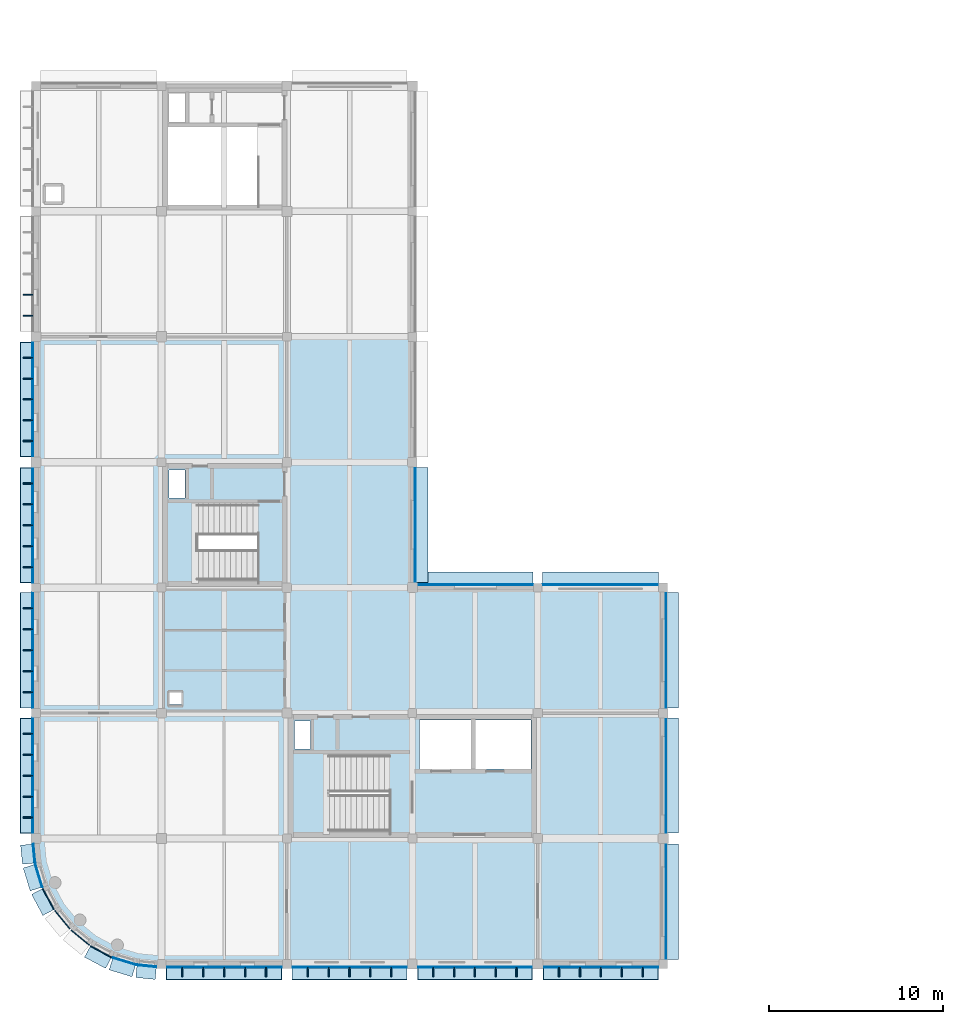
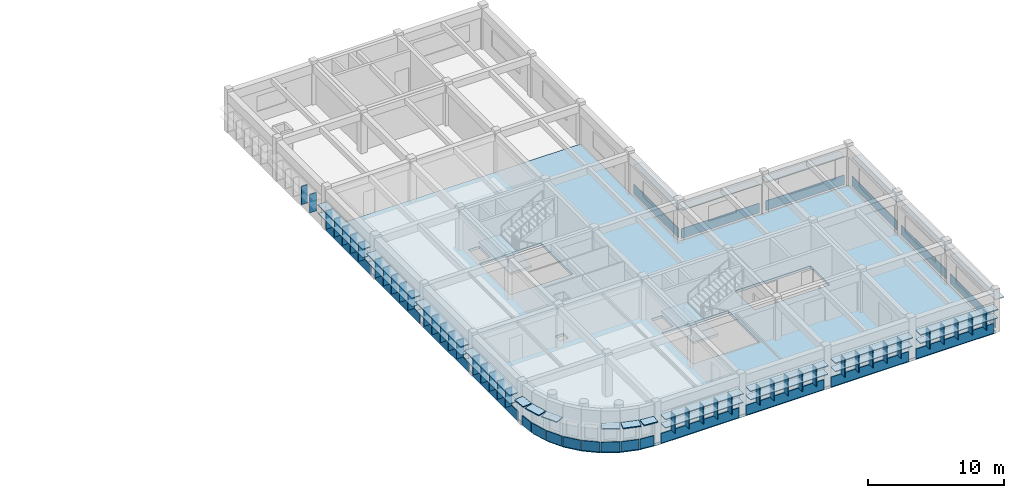
# One storey, part 9 of 19: 92 plates, 3 slabs, 2 elements without a shape of their own.
"""IFC4 building model written with IfcOpenShell, lengths in metres."""

import ifcopenshell
import ifcopenshell.guid

model = None  # the IFC model being written
_history = None  # IfcOwnerHistory: only IFC2X3 demands one
_inside = {}  # id of a spatial element -> (the spatial element, [elements in it])
_under = {}  # id of a project, library or spatial element -> (it, [spatial elements below it])
_declared = {}  # id of a project -> (the project, [libraries it declares])
_typed = {}  # id of a type object -> (the type object, [elements of that type])
_made_of = {}  # id of a material, layer set ... -> (it, [elements and type objects made of it])


def new_model(schema):
    """Start an empty IFC model of exactly this schema.

    Asked for "IFC4X3", IfcOpenShell would pick the latest addendum, in which some entities
    have other attributes; the version numbers below select the first issue.
    IFC2X3 requires an IfcOwnerHistory on every rooted entity: one is made here for all.
    """
    global model, _history
    if schema == "IFC4X3":
        model = ifcopenshell.file(schema_version=(4, 3, 0, 0))
    else:
        model = ifcopenshell.file(schema=schema)
    _inside.clear()
    _under.clear()
    _declared.clear()
    _typed.clear()
    _made_of.clear()
    _history = None
    if model.schema == "IFC2X3":
        org = make("IfcOrganization", Name="unknown")
        user = make(
            "IfcPersonAndOrganization",
            ThePerson=make("IfcPerson", FamilyName="unknown"),
            TheOrganization=org,
        )
        app = make(
            "IfcApplication",
            ApplicationDeveloper=org,
            Version="unknown",
            ApplicationFullName="unknown",
            ApplicationIdentifier="unknown",
        )
        _history = make(
            "IfcOwnerHistory",
            OwningUser=user,
            OwningApplication=app,
            ChangeAction="ADDED",
            CreationDate=0,
        )
    return model


def make(cls, **values):
    """One entity of the class cls with the attributes given. An attribute that is None is left unset."""
    return model.create_entity(
        cls, **{name: value for name, value in values.items() if value is not None}
    )


def rooted(cls, **values):
    """An entity with a GlobalId (a new one), such as an element, a storey or a relation."""
    return make(cls, GlobalId=ifcopenshell.guid.new(), OwnerHistory=_history, **values)


def si_unit(unit_type, name, prefix=None):
    """IfcSIUnit, for example si_unit("LENGTHUNIT", "METRE", prefix="MILLI")."""
    return make("IfcSIUnit", UnitType=unit_type, Prefix=prefix, Name=name)


def assignment(units):
    """IfcUnitAssignment: the units of a project."""
    return None if units is None else make("IfcUnitAssignment", Units=units)


def point(xyz):
    """IfcCartesianPoint."""
    return None if xyz is None else make("IfcCartesianPoint", Coordinates=xyz)


def direction(xyz):
    """IfcDirection."""
    return None if xyz is None else make("IfcDirection", DirectionRatios=xyz)


def frame(location, z_axis=None, x_axis=None):
    """IfcAxis2Placement3D, a coordinate frame: its origin and axes. An axis left out is left unset."""
    return make(
        "IfcAxis2Placement3D",
        Location=point(location),
        Axis=direction(z_axis),
        RefDirection=direction(x_axis),
    )


def frame_2d(location, x_axis=None):
    """IfcAxis2Placement2D, a coordinate frame in the plane: its origin and x axis."""
    return make(
        "IfcAxis2Placement2D", Location=point(location), RefDirection=direction(x_axis)
    )


def origin():
    """The frame at (0, 0, 0) with its axes left unset."""
    return frame((0.0, 0.0, 0.0))


def origin_2d():
    """The frame at (0, 0) in the plane with its x axis left unset."""
    return frame_2d((0.0, 0.0))


def place(relative_to, where):
    """IfcLocalPlacement: puts the frame where relative to a parent placement (None: the world)."""
    return make(
        "IfcLocalPlacement", PlacementRelTo=relative_to, RelativePlacement=where
    )


def context(
    kind, dimensions, precision=None, world=None, true_north=None, identifier=None
):
    """IfcGeometricRepresentationContext, for example the 3D "Model" context."""
    return make(
        "IfcGeometricRepresentationContext",
        ContextIdentifier=identifier,
        ContextType=kind,
        CoordinateSpaceDimension=dimensions,
        Precision=precision,
        WorldCoordinateSystem=world,
        TrueNorth=true_north,
    )


def subcontext(parent, identifier, kind, view, scale=None):
    """IfcGeometricRepresentationSubContext, for example "Body" below "Model"."""
    return make(
        "IfcGeometricRepresentationSubContext",
        ContextIdentifier=identifier,
        ContextType=kind,
        ParentContext=parent,
        TargetScale=scale,
        TargetView=view,
    )


def project(units=None, contexts=None):
    """IfcProject with its units and contexts."""
    return rooted(
        "IfcProject",
        Name="project",
        RepresentationContexts=contexts,
        UnitsInContext=assignment(units),
    )


def spatial(cls, under=None, at=None, **own):
    """A site, building, storey or space (cls), placed at a placement, below another one or the project."""
    s = rooted(cls, ObjectPlacement=at, **own)
    if under is not None:
        _under.setdefault(under.id(), (under, []))[1].append(s)
    return s


def polyline(points):
    """IfcPolyline through the points."""
    return make("IfcPolyline", Points=[point(p) for p in points])


def profile(cls, at=None, kind="AREA", **sizes):
    """A parametric profile (cls). Its sizes go by their IFC names, for example OverallWidth=200.0."""
    return make(cls, ProfileType=kind, Position=at, **sizes)


def rectangle(**sizes):
    """IfcRectangleProfileDef."""
    return profile("IfcRectangleProfileDef", **sizes)


def outline(outer, holes=None, kind="AREA"):
    """IfcArbitraryClosedProfileDef: a profile drawn as a closed curve; with holes, ...WithVoids."""
    if holes is None:
        return make("IfcArbitraryClosedProfileDef", ProfileType=kind, OuterCurve=outer)
    return make(
        "IfcArbitraryProfileDefWithVoids",
        ProfileType=kind,
        OuterCurve=outer,
        InnerCurves=holes,
    )


def extrude(swept, where, along, depth):
    """IfcExtrudedAreaSolid: the profile swept, set in the frame where, extruded along a direction by depth."""
    return make(
        "IfcExtrudedAreaSolid",
        SweptArea=swept,
        Position=where,
        ExtrudedDirection=direction(along),
        Depth=depth,
    )


def shape(context_of_items, identifier, shape_type, items):
    """IfcShapeRepresentation: the items that make up one representation, for example the "Body"."""
    return make(
        "IfcShapeRepresentation",
        ContextOfItems=context_of_items,
        RepresentationIdentifier=identifier,
        RepresentationType=shape_type,
        Items=items,
    )


def material(Name=None, Category=None):
    """IfcMaterial."""
    return make("IfcMaterial", Name=Name, Category=Category)


def layer(
    of_material, thickness, ventilated=None, Name=None, Category=None, Priority=None
):
    """IfcMaterialLayer: one layer of a wall or slab, of a material (None: an air gap)."""
    return make(
        "IfcMaterialLayer",
        Material=of_material,
        LayerThickness=thickness,
        IsVentilated=ventilated,
        Name=Name,
        Category=Category,
        Priority=Priority,
    )


def layer_set(layers, Name=None):
    """IfcMaterialLayerSet."""
    return make("IfcMaterialLayerSet", MaterialLayers=layers, LayerSetName=Name)


def made_of(thing, what):
    """Note that an element or type object is made of a material, layer set ...; save() writes the relation."""
    if what is not None:
        _made_of.setdefault(what.id(), (what, []))[1].append(thing)
    return thing


def type_object(cls, material=None, **own):
    """A type object (cls), such as IfcWallType, which elements share."""
    return made_of(rooted(cls, **own), material)


def element(
    cls,
    number,
    at=None,
    inside=None,
    cuts=None,
    type_object=None,
    material=None,
    context=None,
    identifier="Body",
    shape_type=None,
    held_by="IfcProductDefinitionShape",
    body=None,
    shapes=None,
    **own,
):
    """One element of the class cls, such as IfcWall. Its Tag is "e" and its number.

    at: its placement. inside: the storey or other place that contains it. cuts: it is an
    opening in that element (IfcRelVoidsElement). A single representation is given by context,
    identifier, shape_type and body (its items); several are given by shapes. held_by: the class
    of the entity that holds the representations. save() writes the other relations.
    """
    e = rooted(cls, Tag="e%d" % number, ObjectPlacement=at, **own)
    if body is not None:
        shapes = [shape(context, identifier, shape_type, body)]
    if shapes is not None:
        e.Representation = make(held_by, Representations=shapes)
    if inside is not None:
        _inside.setdefault(inside.id(), (inside, []))[1].append(e)
    if cuts is not None:
        rooted(
            "IfcRelVoidsElement", RelatingBuildingElement=cuts, RelatedOpeningElement=e
        )
    if type_object is not None:
        _typed.setdefault(type_object.id(), (type_object, []))[1].append(e)
    return made_of(e, material)


def aggregate(whole, parts):
    """IfcRelAggregates: a whole, such as a stair, and the parts it consists of."""
    return rooted("IfcRelAggregates", RelatingObject=whole, RelatedObjects=parts)


def save(model, path):
    """Write the relations noted so far, then the file.

    IfcRelAggregates (storeys below a building ...), IfcRelContainedInSpatialStructure (elements
    in a storey), IfcRelDefinesByType, IfcRelAssociatesMaterial and IfcRelDeclares: one each for
    every whole, place, type object, material and project.
    """
    for whole, parts in _under.values():
        aggregate(whole, parts)
    for where, things in _inside.values():
        rooted(
            "IfcRelContainedInSpatialStructure",
            RelatedElements=things,
            RelatingStructure=where,
        )
    for kind, things in _typed.values():
        rooted("IfcRelDefinesByType", RelatedObjects=things, RelatingType=kind)
    for what, things in _made_of.values():
        rooted("IfcRelAssociatesMaterial", RelatedObjects=things, RelatingMaterial=what)
    for by, libraries in _declared.values():
        rooted("IfcRelDeclares", RelatingContext=by, RelatedDefinitions=libraries)
    model.write(path)


model = new_model("IFC4")

# Units and contexts
model_context = context("Model", 3, precision=1e-05, world=origin(), true_north=direction((0.0, 1.0)))
body_context = subcontext(model_context, "Body", "Model", "MODEL_VIEW")
ifc_project = project(units=[si_unit("LENGTHUNIT", "METRE"), si_unit("AREAUNIT", "SQUARE_METRE"), si_unit("VOLUMEUNIT", "CUBIC_METRE"), si_unit("PLANEANGLEUNIT", "RADIAN"), si_unit("MASSUNIT", "GRAM", prefix="KILO")], contexts=[model_context])

# Site, building, storey
site_placement = place(None, origin())
site = spatial("IfcSite", under=ifc_project, at=site_placement, CompositionType="ELEMENT")
building_placement = place(site_placement, origin())
building = spatial("IfcBuilding", under=site, at=building_placement, Name="Thalmaran Polytechnic", CompositionType="ELEMENT")
storey_placement = place(building_placement, frame((0.0, 0.0, 26.699951171875)))
storey = spatial("IfcBuildingStorey", under=building, at=storey_placement, Name="L06", CompositionType="ELEMENT", Elevation=26.699951171875)

# Plates
ifc_material_1 = material(Name="Anodised aluminium spandrel band", Category="aluminium")
ifc_layer_1 = layer(ifc_material_1, 0.054931640625, Name="Anodised aluminium spandrel band")
ifc_layer_set_1 = layer_set([ifc_layer_1], Name="Anodised aluminium spandrel band")
plate_type_1 = type_object("IfcPlateType", Name="PT-BD01", PredefinedType="SHEET", material=ifc_layer_set_1)
for number, where, z_axis, x_axis, name in (
    (1, (1.510498046875, 2.53076171875, 0.02001953125), (0.0, 0.0, 1.0), (-0.634393284164, 0.773010453363, 0.0), "Streamline Horizontal Spandrel Band L06-001"),
    (2, (0.708740234375, 3.73046875, 0.02001953125), (0.0, 0.0, 1.0), (-0.471396736826, 0.881921264348, 0.0), "Streamline Horizontal Spandrel Band L06-002"),
    (3, (0.156494140625, 5.0634765625, 0.02001953125), (0.0, 0.0, 1.0), (-0.290284677254, 0.956940335732, 0.0), "Streamline Horizontal Spandrel Band L06-003"),
):
    element("IfcPlate", number, at=place(storey_placement, frame(where, z_axis=z_axis, x_axis=x_axis)), inside=storey, type_object=plate_type_1, Name=name, PredefinedType="SHEET", context=body_context, shape_type="SweptSolid", body=[
        extrude(rectangle(XDim=1.371337890625, YDim=0.054931640625, at=origin_2d()), origin(), (0.0, 0.0, 1.0), 0.8798828125),
    ])
plate_1_placement = place(storey_placement, frame((-0.111328125, 6.341796875, 0.02001953125), z_axis=(0.0, 0.0, 1.0), x_axis=(-0.09801714033, 0.995184726672, 0.0)))
element("IfcPlate", 4, at=plate_1_placement, inside=storey, type_object=plate_type_1, Name="Streamline Horizontal Spandrel Band L06-004", PredefinedType="SHEET", context=body_context, shape_type="SweptSolid", body=[
    extrude(rectangle(XDim=1.096435546875, YDim=0.054931640625, at=origin_2d()), origin(), (0.0, 0.0, 1.0), 0.8798828125),
])
plate_2_placement = place(storey_placement, frame((-0.195068359375, 10.8076171875, 0.02001953125), z_axis=(0.0, 0.0, 1.0), x_axis=(0.0, 1.0, 0.0)))
element("IfcPlate", 5, at=plate_2_placement, inside=storey, type_object=plate_type_1, Name="Streamline Horizontal Spandrel Band L06-005", PredefinedType="SHEET", context=body_context, shape_type="SweptSolid", body=[
    extrude(rectangle(XDim=6.625, YDim=0.054931640625, at=origin_2d()), origin(), (0.0, 0.0, 1.0), 0.8798828125),
])
plate_3_placement = place(storey_placement, frame((-0.195068359375, 18.0048828125, 0.02001953125), z_axis=(0.0, 0.0, 1.0), x_axis=(0.0, 1.0, 0.0)))
element("IfcPlate", 6, at=plate_3_placement, inside=storey, type_object=plate_type_1, Name="Streamline Horizontal Spandrel Band L06-006", PredefinedType="SHEET", context=body_context, shape_type="SweptSolid", body=[
    extrude(rectangle(XDim=6.64990234375, YDim=0.054931640625, at=origin_2d()), origin(), (0.0, 0.0, 1.0), 0.8798828125),
])
plate_4_placement = place(storey_placement, frame((-0.195068359375, 25.179931640625, 0.02001953125), z_axis=(0.0, 0.0, 1.0), x_axis=(0.0, 1.0, 0.0)))
element("IfcPlate", 7, at=plate_4_placement, inside=storey, type_object=plate_type_1, Name="Streamline Horizontal Spandrel Band L06-007", PredefinedType="SHEET", context=body_context, shape_type="SweptSolid", body=[
    extrude(rectangle(XDim=6.6201171875, YDim=0.054931640625, at=origin_2d()), origin(), (0.0, 0.0, 1.0), 0.8798828125),
])
for number, where, z_axis, x_axis, name in (
    (8, (-0.195068359375, 32.407470703125, 0.02001953125), (0.0, 0.0, 1.0), (0.0, 1.0, 0.0), "Streamline Horizontal Spandrel Band L06-008"),
    (9, (21.760009765625, 25.20751953125, 0.02001953125), (0.0, 0.0, 1.0), (0.0, -1.0, 0.0), "Streamline Horizontal Spandrel Band L06-017"),
):
    element("IfcPlate", number, at=place(storey_placement, frame(where, z_axis=z_axis, x_axis=x_axis)), inside=storey, type_object=plate_type_1, Name=name, PredefinedType="SHEET", context=body_context, shape_type="SweptSolid", body=[
        extrude(rectangle(XDim=6.594970703125, YDim=0.054931640625, at=origin_2d()), origin(), (0.0, 0.0, 1.0), 0.8798828125),
    ])
plate_5_placement = place(storey_placement, frame((25.219970703125, 21.760009765625, 0.02001953125), z_axis=(0.0, 0.0, 1.0), x_axis=(1.0, 0.0, 0.0)))
element("IfcPlate", 10, at=plate_5_placement, inside=storey, type_object=plate_type_1, Name="Streamline Horizontal Spandrel Band L06-018", PredefinedType="SHEET", context=body_context, shape_type="SweptSolid", body=[
    extrude(rectangle(XDim=6.6201171875, YDim=0.054931640625, at=origin_2d()), origin(), (0.0, 0.0, 1.0), 0.8798828125),
])
plate_6_placement = place(storey_placement, frame((32.39501953125, 21.760009765625, 0.02001953125), z_axis=(0.0, 0.0, 1.0), x_axis=(1.0, 0.0, 0.0)))
element("IfcPlate", 11, at=plate_6_placement, inside=storey, type_object=plate_type_1, Name="Streamline Horizontal Spandrel Band L06-019", PredefinedType="SHEET", context=body_context, shape_type="SweptSolid", body=[
    extrude(rectangle(XDim=6.64990234375, YDim=0.054931640625, at=origin_2d()), origin(), (0.0, 0.0, 1.0), 0.8798828125),
])
plate_7_placement = place(storey_placement, frame((36.159912109375, 18.007568359375, 0.02001953125), z_axis=(0.0, 0.0, 1.0), x_axis=(0.0, -1.0, 0.0)))
element("IfcPlate", 12, at=plate_7_placement, inside=storey, type_object=plate_type_1, Name="Streamline Horizontal Spandrel Band L06-020", PredefinedType="SHEET", context=body_context, shape_type="SweptSolid", body=[
    extrude(rectangle(XDim=6.625, YDim=0.054931640625, at=origin_2d()), origin(), (0.0, 0.0, 1.0), 0.8798828125),
])
plate_8_placement = place(storey_placement, frame((36.159912109375, 10.8076171875, 0.02001953125), z_axis=(0.0, 0.0, 1.0), x_axis=(0.0, -1.0, 0.0)))
element("IfcPlate", 13, at=plate_8_placement, inside=storey, type_object=plate_type_1, Name="Streamline Horizontal Spandrel Band L06-021", PredefinedType="SHEET", context=body_context, shape_type="SweptSolid", body=[
    extrude(rectangle(XDim=6.594970703125, YDim=0.054931640625, at=origin_2d()), origin(), (0.0, 0.0, 1.0), 0.8798828125),
])
for number, where, z_axis, x_axis, name in (
    (14, (36.159912109375, 3.580078125, 0.02001953125), (0.0, 0.0, 1.0), (0.0, -1.0, 0.0), "Streamline Horizontal Spandrel Band L06-022"),
    (15, (32.419921875, -0.195068359375, 0.02001953125), (0.0, 0.0, 1.0), (-1.0, 0.0, 0.0), "Streamline Horizontal Spandrel Band L06-023"),
):
    element("IfcPlate", number, at=place(storey_placement, frame(where, z_axis=z_axis, x_axis=x_axis)), inside=storey, type_object=plate_type_1, Name=name, PredefinedType="SHEET", context=body_context, shape_type="SweptSolid", body=[
        extrude(rectangle(XDim=6.6201171875, YDim=0.054931640625, at=origin_2d()), origin(), (0.0, 0.0, 1.0), 0.8798828125),
    ])
plate_9_placement = place(storey_placement, frame((25.1923828125, -0.195068359375, 0.02001953125), z_axis=(0.0, 0.0, 1.0), x_axis=(-1.0, 0.0, 0.0)))
element("IfcPlate", 16, at=plate_9_placement, inside=storey, type_object=plate_type_1, Name="Streamline Horizontal Spandrel Band L06-024", PredefinedType="SHEET", context=body_context, shape_type="SweptSolid", body=[
    extrude(rectangle(XDim=6.594970703125, YDim=0.054931640625, at=origin_2d()), origin(), (0.0, 0.0, 1.0), 0.8798828125),
])
plate_10_placement = place(storey_placement, frame((17.992431640625, -0.195068359375, 0.02001953125), z_axis=(0.0, 0.0, 1.0), x_axis=(-1.0, 0.0, 0.0)))
element("IfcPlate", 17, at=plate_10_placement, inside=storey, type_object=plate_type_1, Name="Streamline Horizontal Spandrel Band L06-025", PredefinedType="SHEET", context=body_context, shape_type="SweptSolid", body=[
    extrude(rectangle(XDim=6.625, YDim=0.054931640625, at=origin_2d()), origin(), (0.0, 0.0, 1.0), 0.8798828125),
])
plate_11_placement = place(storey_placement, frame((10.794921875, -0.195068359375, 0.02001953125), z_axis=(0.0, 0.0, 1.0), x_axis=(-1.0, 0.0, 0.0)))
element("IfcPlate", 18, at=plate_11_placement, inside=storey, type_object=plate_type_1, Name="Streamline Horizontal Spandrel Band L06-026", PredefinedType="SHEET", context=body_context, shape_type="SweptSolid", body=[
    extrude(rectangle(XDim=6.64990234375, YDim=0.054931640625, at=origin_2d()), origin(), (0.0, 0.0, 1.0), 0.8798828125),
])
plate_12_placement = place(storey_placement, frame((6.354248046875, -0.112548828125, 0.02001953125), z_axis=(0.0, 0.0, 1.0), x_axis=(-0.995184726672, 0.09801714033, 0.0)))
element("IfcPlate", 19, at=plate_12_placement, inside=storey, type_object=plate_type_1, Name="Streamline Horizontal Spandrel Band L06-027", PredefinedType="SHEET", context=body_context, shape_type="SweptSolid", body=[
    extrude(rectangle(XDim=1.121337890625, YDim=0.054931640625, at=origin_2d()), origin(), (0.0, 0.0, 1.0), 0.8798828125),
])
for number, where, z_axis, x_axis, name in (
    (20, (5.0634765625, 0.156494140625, 0.02001953125), (0.0, 0.0, 1.0), (-0.956940335732, 0.290284677254, 0.0), "Streamline Horizontal Spandrel Band L06-028"),
    (21, (3.73046875, 0.708740234375, 0.02001953125), (0.0, 0.0, 1.0), (-0.881921264348, 0.471396736826, 0.0), "Streamline Horizontal Spandrel Band L06-029"),
    (22, (2.53076171875, 1.510498046875, 0.02001953125), (0.0, 0.0, 1.0), (-0.773010453363, 0.634393284164, 0.0), "Streamline Horizontal Spandrel Band L06-030"),
):
    element("IfcPlate", number, at=place(storey_placement, frame(where, z_axis=z_axis, x_axis=x_axis)), inside=storey, type_object=plate_type_1, Name=name, PredefinedType="SHEET", context=body_context, shape_type="SweptSolid", body=[
        extrude(rectangle(XDim=1.371337890625, YDim=0.054931640625, at=origin_2d()), origin(), (0.0, 0.0, 1.0), 0.8798828125),
    ])
ifc_material_2 = material(Name="Anodised aluminium sun-hood eyebrow", Category="aluminium")
ifc_layer_2 = layer(ifc_material_2, 0.0849609375, Name="Anodised aluminium sun-hood eyebrow")
ifc_layer_set_2 = layer_set([ifc_layer_2], Name="Anodised aluminium sun-hood eyebrow")
plate_type_2 = type_object("IfcPlateType", Name="PT-EB01", PredefinedType="SHEET", material=ifc_layer_set_2)
for number, where, z_axis, x_axis, name in (
    (23, (0.404541015625, 3.567626953125, 2.517578125), (0.0, 0.0, 1.0), (-0.471396736826, 0.881921264348, 0.0), "Streamline Sun-Hood Eyebrow L06-002"),
    (24, (-0.173583984375, 4.96337890625, 2.517578125), (0.0, 0.0, 1.0), (-0.290284677254, 0.956940335732, 0.0), "Streamline Sun-Hood Eyebrow L06-003"),
):
    element("IfcPlate", number, at=place(storey_placement, frame(where, z_axis=z_axis, x_axis=x_axis)), inside=storey, type_object=plate_type_2, Name=name, PredefinedType="SHEET", context=body_context, shape_type="SweptSolid", body=[
        extrude(rectangle(XDim=1.371337890625, YDim=0.760009765625, at=origin_2d()), origin(), (0.0, 0.0, 1.0), 0.0849609375),
    ])
plate_13_placement = place(storey_placement, frame((-0.454833984375, 6.307861328125, 2.517578125), z_axis=(0.0, 0.0, 1.0), x_axis=(-0.09801714033, 0.995184726672, 0.0)))
element("IfcPlate", 25, at=plate_13_placement, inside=storey, type_object=plate_type_2, Name="Streamline Sun-Hood Eyebrow L06-004", PredefinedType="SHEET", context=body_context, shape_type="SweptSolid", body=[
    extrude(rectangle(XDim=1.096435546875, YDim=0.760009765625, at=origin_2d()), origin(), (0.0, 0.0, 1.0), 0.0849609375),
])
plate_14_placement = place(storey_placement, frame((-0.5400390625, 10.8076171875, 2.517578125), z_axis=(0.0, 0.0, 1.0), x_axis=(0.0, 1.0, 0.0)))
element("IfcPlate", 26, at=plate_14_placement, inside=storey, type_object=plate_type_2, Name="Streamline Sun-Hood Eyebrow L06-005", PredefinedType="SHEET", context=body_context, shape_type="SweptSolid", body=[
    extrude(rectangle(XDim=6.625, YDim=0.760009765625, at=origin_2d()), origin(), (0.0, 0.0, 1.0), 0.0849609375),
])
plate_15_placement = place(storey_placement, frame((-0.52001953125, 10.8076171875, 1.74267578125), z_axis=(0.0, 0.0, 1.0), x_axis=(0.0, 1.0, 0.0)))
element("IfcPlate", 27, at=plate_15_placement, inside=storey, type_object=plate_type_2, Name="Abu Dhabi Horizontal Solar Louvre L06-005", PredefinedType="SHEET", context=body_context, shape_type="SweptSolid", body=[
    extrude(rectangle(XDim=6.5849609375, YDim=0.719970703125, at=origin_2d()), origin(), (0.0, 0.0, 1.0), 0.074951171875),
])
plate_16_placement = place(storey_placement, frame((-0.5400390625, 18.0048828125, 2.517578125), z_axis=(0.0, 0.0, 1.0), x_axis=(0.0, 1.0, 0.0)))
element("IfcPlate", 28, at=plate_16_placement, inside=storey, type_object=plate_type_2, Name="Streamline Sun-Hood Eyebrow L06-006", PredefinedType="SHEET", context=body_context, shape_type="SweptSolid", body=[
    extrude(rectangle(XDim=6.64990234375, YDim=0.760009765625, at=origin_2d()), origin(), (0.0, 0.0, 1.0), 0.0849609375),
])
plate_17_placement = place(storey_placement, frame((-0.52001953125, 18.0048828125, 1.74267578125), z_axis=(0.0, 0.0, 1.0), x_axis=(0.0, 1.0, 0.0)))
element("IfcPlate", 29, at=plate_17_placement, inside=storey, type_object=plate_type_2, Name="Abu Dhabi Horizontal Solar Louvre L06-006", PredefinedType="SHEET", context=body_context, shape_type="SweptSolid", body=[
    extrude(rectangle(XDim=6.610107421875, YDim=0.719970703125, at=origin_2d()), origin(), (0.0, 0.0, 1.0), 0.074951171875),
])
plate_18_placement = place(storey_placement, frame((-0.5400390625, 25.179931640625, 2.517578125), z_axis=(0.0, 0.0, 1.0), x_axis=(0.0, 1.0, 0.0)))
element("IfcPlate", 30, at=plate_18_placement, inside=storey, type_object=plate_type_2, Name="Streamline Sun-Hood Eyebrow L06-007", PredefinedType="SHEET", context=body_context, shape_type="SweptSolid", body=[
    extrude(rectangle(XDim=6.6201171875, YDim=0.760009765625, at=origin_2d()), origin(), (0.0, 0.0, 1.0), 0.0849609375),
])
plate_19_placement = place(storey_placement, frame((-0.52001953125, 25.179931640625, 1.74267578125), z_axis=(0.0, 0.0, 1.0), x_axis=(0.0, 1.0, 0.0)))
element("IfcPlate", 31, at=plate_19_placement, inside=storey, type_object=plate_type_2, Name="Abu Dhabi Horizontal Solar Louvre L06-007", PredefinedType="SHEET", context=body_context, shape_type="SweptSolid", body=[
    extrude(rectangle(XDim=6.580078125, YDim=0.719970703125, at=origin_2d()), origin(), (0.0, 0.0, 1.0), 0.074951171875),
])
plate_20_placement = place(storey_placement, frame((-0.5400390625, 32.407470703125, 2.517578125), z_axis=(0.0, 0.0, 1.0), x_axis=(0.0, 1.0, 0.0)))
element("IfcPlate", 32, at=plate_20_placement, inside=storey, type_object=plate_type_2, Name="Streamline Sun-Hood Eyebrow L06-008", PredefinedType="SHEET", context=body_context, shape_type="SweptSolid", body=[
    extrude(rectangle(XDim=6.594970703125, YDim=0.760009765625, at=origin_2d()), origin(), (0.0, 0.0, 1.0), 0.0849609375),
])
plate_21_placement = place(storey_placement, frame((-0.52001953125, 32.407470703125, 1.74267578125), z_axis=(0.0, 0.0, 1.0), x_axis=(0.0, 1.0, 0.0)))
element("IfcPlate", 33, at=plate_21_placement, inside=storey, type_object=plate_type_2, Name="Abu Dhabi Horizontal Solar Louvre L06-008", PredefinedType="SHEET", context=body_context, shape_type="SweptSolid", body=[
    extrude(rectangle(XDim=6.554931640625, YDim=0.719970703125, at=origin_2d()), origin(), (0.0, 0.0, 1.0), 0.074951171875),
])
plate_22_placement = place(storey_placement, frame((22.10498046875, 25.20751953125, 2.517578125), z_axis=(0.0, 0.0, 1.0), x_axis=(0.0, -1.0, 0.0)))
element("IfcPlate", 34, at=plate_22_placement, inside=storey, type_object=plate_type_2, Name="Streamline Sun-Hood Eyebrow L06-017", PredefinedType="SHEET", context=body_context, shape_type="SweptSolid", body=[
    extrude(rectangle(XDim=6.594970703125, YDim=0.760009765625, at=origin_2d()), origin(), (0.0, 0.0, 1.0), 0.0849609375),
])
plate_23_placement = place(storey_placement, frame((25.219970703125, 22.10498046875, 2.517578125), z_axis=(0.0, 0.0, 1.0), x_axis=(1.0, 0.0, 0.0)))
element("IfcPlate", 35, at=plate_23_placement, inside=storey, type_object=plate_type_2, Name="Streamline Sun-Hood Eyebrow L06-018", PredefinedType="SHEET", context=body_context, shape_type="SweptSolid", body=[
    extrude(rectangle(XDim=6.6201171875, YDim=0.760009765625, at=origin_2d()), origin(), (0.0, 0.0, 1.0), 0.0849609375),
])
plate_24_placement = place(storey_placement, frame((32.39501953125, 22.10498046875, 2.517578125), z_axis=(0.0, 0.0, 1.0), x_axis=(1.0, 0.0, 0.0)))
element("IfcPlate", 36, at=plate_24_placement, inside=storey, type_object=plate_type_2, Name="Streamline Sun-Hood Eyebrow L06-019", PredefinedType="SHEET", context=body_context, shape_type="SweptSolid", body=[
    extrude(rectangle(XDim=6.64990234375, YDim=0.760009765625, at=origin_2d()), origin(), (0.0, 0.0, 1.0), 0.0849609375),
])
plate_25_placement = place(storey_placement, frame((36.5048828125, 18.007568359375, 2.517578125), z_axis=(0.0, 0.0, 1.0), x_axis=(0.0, -1.0, 0.0)))
element("IfcPlate", 37, at=plate_25_placement, inside=storey, type_object=plate_type_2, Name="Streamline Sun-Hood Eyebrow L06-020", PredefinedType="SHEET", context=body_context, shape_type="SweptSolid", body=[
    extrude(rectangle(XDim=6.625, YDim=0.760009765625, at=origin_2d()), origin(), (0.0, 0.0, 1.0), 0.0849609375),
])
plate_26_placement = place(storey_placement, frame((36.5048828125, 10.8076171875, 2.517578125), z_axis=(0.0, 0.0, 1.0), x_axis=(0.0, -1.0, 0.0)))
element("IfcPlate", 38, at=plate_26_placement, inside=storey, type_object=plate_type_2, Name="Streamline Sun-Hood Eyebrow L06-021", PredefinedType="SHEET", context=body_context, shape_type="SweptSolid", body=[
    extrude(rectangle(XDim=6.594970703125, YDim=0.760009765625, at=origin_2d()), origin(), (0.0, 0.0, 1.0), 0.0849609375),
])
for number, where, z_axis, x_axis, name in (
    (39, (36.5048828125, 3.580078125, 2.517578125), (0.0, 0.0, 1.0), (0.0, -1.0, 0.0), "Streamline Sun-Hood Eyebrow L06-022"),
    (40, (32.419921875, -0.5400390625, 2.517578125), (0.0, 0.0, 1.0), (-1.0, 0.0, 0.0), "Streamline Sun-Hood Eyebrow L06-023"),
):
    element("IfcPlate", number, at=place(storey_placement, frame(where, z_axis=z_axis, x_axis=x_axis)), inside=storey, type_object=plate_type_2, Name=name, PredefinedType="SHEET", context=body_context, shape_type="SweptSolid", body=[
        extrude(rectangle(XDim=6.6201171875, YDim=0.760009765625, at=origin_2d()), origin(), (0.0, 0.0, 1.0), 0.0849609375),
    ])
plate_27_placement = place(storey_placement, frame((32.419921875, -0.52001953125, 1.74267578125), z_axis=(0.0, 0.0, 1.0), x_axis=(-1.0, 0.0, 0.0)))
element("IfcPlate", 41, at=plate_27_placement, inside=storey, type_object=plate_type_2, Name="Abu Dhabi Horizontal Solar Louvre L06-023", PredefinedType="SHEET", context=body_context, shape_type="SweptSolid", body=[
    extrude(rectangle(XDim=6.580078125, YDim=0.719970703125, at=origin_2d()), origin(), (0.0, 0.0, 1.0), 0.074951171875),
])
plate_28_placement = place(storey_placement, frame((25.1923828125, -0.5400390625, 2.517578125), z_axis=(0.0, 0.0, 1.0), x_axis=(-1.0, 0.0, 0.0)))
element("IfcPlate", 42, at=plate_28_placement, inside=storey, type_object=plate_type_2, Name="Streamline Sun-Hood Eyebrow L06-024", PredefinedType="SHEET", context=body_context, shape_type="SweptSolid", body=[
    extrude(rectangle(XDim=6.594970703125, YDim=0.760009765625, at=origin_2d()), origin(), (0.0, 0.0, 1.0), 0.0849609375),
])
plate_29_placement = place(storey_placement, frame((25.1923828125, -0.52001953125, 1.74267578125), z_axis=(0.0, 0.0, 1.0), x_axis=(-1.0, 0.0, 0.0)))
element("IfcPlate", 43, at=plate_29_placement, inside=storey, type_object=plate_type_2, Name="Abu Dhabi Horizontal Solar Louvre L06-024", PredefinedType="SHEET", context=body_context, shape_type="SweptSolid", body=[
    extrude(rectangle(XDim=6.554931640625, YDim=0.719970703125, at=origin_2d()), origin(), (0.0, 0.0, 1.0), 0.074951171875),
])
plate_30_placement = place(storey_placement, frame((17.992431640625, -0.5400390625, 2.517578125), z_axis=(0.0, 0.0, 1.0), x_axis=(-1.0, 0.0, 0.0)))
element("IfcPlate", 44, at=plate_30_placement, inside=storey, type_object=plate_type_2, Name="Streamline Sun-Hood Eyebrow L06-025", PredefinedType="SHEET", context=body_context, shape_type="SweptSolid", body=[
    extrude(rectangle(XDim=6.625, YDim=0.760009765625, at=origin_2d()), origin(), (0.0, 0.0, 1.0), 0.0849609375),
])
plate_31_placement = place(storey_placement, frame((17.992431640625, -0.52001953125, 1.74267578125), z_axis=(0.0, 0.0, 1.0), x_axis=(-1.0, 0.0, 0.0)))
element("IfcPlate", 45, at=plate_31_placement, inside=storey, type_object=plate_type_2, Name="Abu Dhabi Horizontal Solar Louvre L06-025", PredefinedType="SHEET", context=body_context, shape_type="SweptSolid", body=[
    extrude(rectangle(XDim=6.5849609375, YDim=0.719970703125, at=origin_2d()), origin(), (0.0, 0.0, 1.0), 0.074951171875),
])
plate_32_placement = place(storey_placement, frame((10.794921875, -0.5400390625, 2.517578125), z_axis=(0.0, 0.0, 1.0), x_axis=(-1.0, 0.0, 0.0)))
element("IfcPlate", 46, at=plate_32_placement, inside=storey, type_object=plate_type_2, Name="Streamline Sun-Hood Eyebrow L06-026", PredefinedType="SHEET", context=body_context, shape_type="SweptSolid", body=[
    extrude(rectangle(XDim=6.64990234375, YDim=0.760009765625, at=origin_2d()), origin(), (0.0, 0.0, 1.0), 0.0849609375),
])
plate_33_placement = place(storey_placement, frame((10.794921875, -0.52001953125, 1.74267578125), z_axis=(0.0, 0.0, 1.0), x_axis=(-1.0, 0.0, 0.0)))
element("IfcPlate", 47, at=plate_33_placement, inside=storey, type_object=plate_type_2, Name="Abu Dhabi Horizontal Solar Louvre L06-026", PredefinedType="SHEET", context=body_context, shape_type="SweptSolid", body=[
    extrude(rectangle(XDim=6.610107421875, YDim=0.719970703125, at=origin_2d()), origin(), (0.0, 0.0, 1.0), 0.074951171875),
])
plate_34_placement = place(storey_placement, frame((6.3203125, -0.4560546875, 2.517578125), z_axis=(0.0, 0.0, 1.0), x_axis=(-0.995184726672, 0.09801714033, 0.0)))
element("IfcPlate", 48, at=plate_34_placement, inside=storey, type_object=plate_type_2, Name="Streamline Sun-Hood Eyebrow L06-027", PredefinedType="SHEET", context=body_context, shape_type="SweptSolid", body=[
    extrude(rectangle(XDim=1.121337890625, YDim=0.760009765625, at=origin_2d()), origin(), (0.0, 0.0, 1.0), 0.0849609375),
])
for number, where, z_axis, x_axis, name in (
    (49, (4.96337890625, -0.173583984375, 2.517578125), (0.0, 0.0, 1.0), (-0.956940335732, 0.290284677254, 0.0), "Streamline Sun-Hood Eyebrow L06-028"),
    (50, (3.567626953125, 0.404541015625, 2.517578125), (0.0, 0.0, 1.0), (-0.881921264348, 0.471396736826, 0.0), "Streamline Sun-Hood Eyebrow L06-029"),
):
    element("IfcPlate", number, at=place(storey_placement, frame(where, z_axis=z_axis, x_axis=x_axis)), inside=storey, type_object=plate_type_2, Name=name, PredefinedType="SHEET", context=body_context, shape_type="SweptSolid", body=[
        extrude(rectangle(XDim=1.371337890625, YDim=0.760009765625, at=origin_2d()), origin(), (0.0, 0.0, 1.0), 0.0849609375),
    ])
ifc_material_3 = material(Name="Anodised bronze brise-soleil fin")
ifc_layer_3 = layer(ifc_material_3, 0.06494140625, Name="Anodised bronze brise-soleil fin")
ifc_layer_set_3 = layer_set([ifc_layer_3], Name="Anodised bronze brise-soleil fin")
plate_type_3 = type_object("IfcPlateType", Name="PT-FN01", PredefinedType="SHEET", material=ifc_layer_set_3)
for number, where, z_axis, x_axis, name in (
    (51, (-0.4599609375, 8.408203125, 0.89501953125), (0.0, 0.0, 1.0), (0.0, 1.0, 0.0), "Abu Dhabi Solar Brise-Soleil Fin L06-005-1"),
    (52, (-0.4599609375, 9.60791015625, 0.89501953125), (0.0, 0.0, 1.0), (0.0, 1.0, 0.0), "Abu Dhabi Solar Brise-Soleil Fin L06-005-2"),
    (53, (-0.4599609375, 10.8076171875, 0.89501953125), (0.0, 0.0, 1.0), (0.0, 1.0, 0.0), "Abu Dhabi Solar Brise-Soleil Fin L06-005-3"),
    (54, (-0.4599609375, 12.007080078125, 0.89501953125), (0.0, 0.0, 1.0), (0.0, 1.0, 0.0), "Abu Dhabi Solar Brise-Soleil Fin L06-005-4"),
    (55, (-0.4599609375, 13.206787109375, 0.89501953125), (0.0, 0.0, 1.0), (0.0, 1.0, 0.0), "Abu Dhabi Solar Brise-Soleil Fin L06-005-5"),
    (56, (-0.4599609375, 15.5966796875, 0.89501953125), (0.0, 0.0, 1.0), (0.0, 1.0, 0.0), "Abu Dhabi Solar Brise-Soleil Fin L06-006-1"),
    (57, (-0.4599609375, 16.80078125, 0.89501953125), (0.0, 0.0, 1.0), (0.0, 1.0, 0.0), "Abu Dhabi Solar Brise-Soleil Fin L06-006-2"),
    (58, (-0.4599609375, 18.0048828125, 0.89501953125), (0.0, 0.0, 1.0), (0.0, 1.0, 0.0), "Abu Dhabi Solar Brise-Soleil Fin L06-006-3"),
    (59, (-0.4599609375, 19.209228515625, 0.89501953125), (0.0, 0.0, 1.0), (0.0, 1.0, 0.0), "Abu Dhabi Solar Brise-Soleil Fin L06-006-4"),
    (60, (-0.4599609375, 20.413330078125, 0.89501953125), (0.0, 0.0, 1.0), (0.0, 1.0, 0.0), "Abu Dhabi Solar Brise-Soleil Fin L06-006-5"),
    (61, (-0.4599609375, 22.782470703125, 0.89501953125), (0.0, 0.0, 1.0), (0.0, 1.0, 0.0), "Abu Dhabi Solar Brise-Soleil Fin L06-007-1"),
    (62, (-0.4599609375, 23.981201171875, 0.89501953125), (0.0, 0.0, 1.0), (0.0, 1.0, 0.0), "Abu Dhabi Solar Brise-Soleil Fin L06-007-2"),
    (63, (-0.4599609375, 25.179931640625, 0.89501953125), (0.0, 0.0, 1.0), (0.0, 1.0, 0.0), "Abu Dhabi Solar Brise-Soleil Fin L06-007-3"),
    (64, (-0.4599609375, 26.37890625, 0.89501953125), (0.0, 0.0, 1.0), (0.0, 1.0, 0.0), "Abu Dhabi Solar Brise-Soleil Fin L06-007-4"),
    (65, (-0.4599609375, 27.57763671875, 0.89501953125), (0.0, 0.0, 1.0), (0.0, 1.0, 0.0), "Abu Dhabi Solar Brise-Soleil Fin L06-007-5"),
    (66, (-0.4599609375, 30.018798828125, 0.89501953125), (0.0, 0.0, 1.0), (0.0, 1.0, 0.0), "Abu Dhabi Solar Brise-Soleil Fin L06-008-1"),
    (67, (-0.4599609375, 31.213134765625, 0.89501953125), (0.0, 0.0, 1.0), (0.0, 1.0, 0.0), "Abu Dhabi Solar Brise-Soleil Fin L06-008-2"),
    (68, (-0.4599609375, 32.407470703125, 0.89501953125), (0.0, 0.0, 1.0), (0.0, 1.0, 0.0), "Abu Dhabi Solar Brise-Soleil Fin L06-008-3"),
    (69, (-0.4599609375, 33.601806640625, 0.89501953125), (0.0, 0.0, 1.0), (0.0, 1.0, 0.0), "Abu Dhabi Solar Brise-Soleil Fin L06-008-4"),
    (70, (-0.4599609375, 34.796142578125, 0.89501953125), (0.0, 0.0, 1.0), (0.0, 1.0, 0.0), "Abu Dhabi Solar Brise-Soleil Fin L06-008-5"),
    (71, (-0.4599609375, 37.2080078125, 0.89501953125), (0.0, 0.0, 1.0), (0.0, 1.0, 0.0), "Abu Dhabi Solar Brise-Soleil Fin L06-009-1"),
    (72, (-0.4599609375, 38.40771484375, 0.89501953125), (0.0, 0.0, 1.0), (0.0, 1.0, 0.0), "Abu Dhabi Solar Brise-Soleil Fin L06-009-2"),
    (73, (34.817626953125, -0.4599609375, 0.89501953125), (0.0, 0.0, 1.0), (-1.0, 0.0, 0.0), "Abu Dhabi Solar Brise-Soleil Fin L06-023-1"),
    (74, (33.618896484375, -0.4599609375, 0.89501953125), (0.0, 0.0, 1.0), (-1.0, 0.0, 0.0), "Abu Dhabi Solar Brise-Soleil Fin L06-023-2"),
    (75, (32.419921875, -0.4599609375, 0.89501953125), (0.0, 0.0, 1.0), (-1.0, 0.0, 0.0), "Abu Dhabi Solar Brise-Soleil Fin L06-023-3"),
    (76, (31.22119140625, -0.4599609375, 0.89501953125), (0.0, 0.0, 1.0), (-1.0, 0.0, 0.0), "Abu Dhabi Solar Brise-Soleil Fin L06-023-4"),
    (77, (30.0224609375, -0.4599609375, 0.89501953125), (0.0, 0.0, 1.0), (-1.0, 0.0, 0.0), "Abu Dhabi Solar Brise-Soleil Fin L06-023-5"),
    (78, (27.5810546875, -0.4599609375, 0.89501953125), (0.0, 0.0, 1.0), (-1.0, 0.0, 0.0), "Abu Dhabi Solar Brise-Soleil Fin L06-024-1"),
    (79, (26.38671875, -0.4599609375, 0.89501953125), (0.0, 0.0, 1.0), (-1.0, 0.0, 0.0), "Abu Dhabi Solar Brise-Soleil Fin L06-024-2"),
    (80, (25.1923828125, -0.4599609375, 0.89501953125), (0.0, 0.0, 1.0), (-1.0, 0.0, 0.0), "Abu Dhabi Solar Brise-Soleil Fin L06-024-3"),
    (81, (23.998291015625, -0.4599609375, 0.89501953125), (0.0, 0.0, 1.0), (-1.0, 0.0, 0.0), "Abu Dhabi Solar Brise-Soleil Fin L06-024-4"),
    (82, (22.803955078125, -0.4599609375, 0.89501953125), (0.0, 0.0, 1.0), (-1.0, 0.0, 0.0), "Abu Dhabi Solar Brise-Soleil Fin L06-024-5"),
    (83, (20.391845703125, -0.4599609375, 0.89501953125), (0.0, 0.0, 1.0), (-1.0, 0.0, 0.0), "Abu Dhabi Solar Brise-Soleil Fin L06-025-1"),
    (84, (19.192138671875, -0.4599609375, 0.89501953125), (0.0, 0.0, 1.0), (-1.0, 0.0, 0.0), "Abu Dhabi Solar Brise-Soleil Fin L06-025-2"),
    (85, (17.992431640625, -0.4599609375, 0.89501953125), (0.0, 0.0, 1.0), (-1.0, 0.0, 0.0), "Abu Dhabi Solar Brise-Soleil Fin L06-025-3"),
    (86, (16.792724609375, -0.4599609375, 0.89501953125), (0.0, 0.0, 1.0), (-1.0, 0.0, 0.0), "Abu Dhabi Solar Brise-Soleil Fin L06-025-4"),
    (87, (15.593017578125, -0.4599609375, 0.89501953125), (0.0, 0.0, 1.0), (-1.0, 0.0, 0.0), "Abu Dhabi Solar Brise-Soleil Fin L06-025-5"),
    (88, (13.203369140625, -0.4599609375, 0.89501953125), (0.0, 0.0, 1.0), (-1.0, 0.0, 0.0), "Abu Dhabi Solar Brise-Soleil Fin L06-026-1"),
    (89, (11.999267578125, -0.4599609375, 0.89501953125), (0.0, 0.0, 1.0), (-1.0, 0.0, 0.0), "Abu Dhabi Solar Brise-Soleil Fin L06-026-2"),
    (90, (10.794921875, -0.4599609375, 0.89501953125), (0.0, 0.0, 1.0), (-1.0, 0.0, 0.0), "Abu Dhabi Solar Brise-Soleil Fin L06-026-3"),
    (91, (9.5908203125, -0.4599609375, 0.89501953125), (0.0, 0.0, 1.0), (-1.0, 0.0, 0.0), "Abu Dhabi Solar Brise-Soleil Fin L06-026-4"),
    (92, (8.38671875, -0.4599609375, 0.89501953125), (0.0, 0.0, 1.0), (-1.0, 0.0, 0.0), "Abu Dhabi Solar Brise-Soleil Fin L06-026-5"),
):
    element("IfcPlate", number, at=place(storey_placement, frame(where, z_axis=z_axis, x_axis=x_axis)), inside=storey, type_object=plate_type_3, Name=name, PredefinedType="SHEET", context=body_context, shape_type="SweptSolid", body=[
        extrude(rectangle(XDim=0.06494140625, YDim=0.56005859375, at=origin_2d()), origin(), (0.0, 0.0, 1.0), 1.64990234375),
    ])

# Slab
ifc_material_4 = material(Name="Concrete C40/50", Category="concrete")
ifc_layer_4 = layer(ifc_material_4, 0.22998046875, Name="Concrete C40/50")
ifc_layer_set_4 = layer_set([ifc_layer_4], Name="Concrete C40/50")
slab_type_1 = type_object("IfcSlabType", Name="SL-FL08", PredefinedType="FLOOR", material=ifc_layer_set_4)
slab_1_placement = place(storey_placement, frame((0.0, 0.0, -0.22998046875)))
element("IfcSlab", 93, at=slab_1_placement, inside=storey, type_object=slab_type_1, Name="V1S L06 Structural Slab", PredefinedType="FLOOR", context=body_context, shape_type="SweptSolid", body=[
    extrude(outline(polyline([(0.0, 21.60009765625), (0.0, 28.800048828125), (0.0, 36.0), (7.199951171875, 36.0), (14.39990234375, 36.0), (21.60009765625, 36.0), (21.60009765625, 28.800048828125), (21.60009765625, 21.60009765625), (28.800048828125, 21.60009765625), (36.0, 21.60009765625), (36.0, 14.39990234375), (36.0, 7.199951171875), (36.0, 0.0), (28.800048828125, 0.0), (21.60009765625, 0.0), (14.39990234375, 0.0), (7.199951171875, 0.0), (5.79541015625, 0.138427734375), (4.444580078125, 0.548095703125), (3.199951171875, 1.21337890625), (2.10888671875, 2.10888671875), (1.21337890625, 3.199951171875), (0.548095703125, 4.444580078125), (0.138427734375, 5.79541015625), (0.0, 7.199951171875), (0.0, 14.39990234375), (0.0, 21.60009765625)]), holes=[polyline([(28.39990234375, 11.199951171875), (28.39990234375, 14.0), (22.0, 14.0), (22.0, 11.199951171875), (28.39990234375, 11.199951171875)]), polyline([(14.64990234375, 12.0400390625), (14.64990234375, 7.449951171875), (20.280029296875, 7.449951171875), (20.280029296875, 12.0400390625), (14.64990234375, 12.0400390625)]), polyline([(15.760009765625, 13.9599609375), (14.840087890625, 13.9599609375), (14.840087890625, 12.340087890625), (15.760009765625, 12.340087890625), (15.760009765625, 13.9599609375)]), polyline([(7.449951171875, 21.85009765625), (12.719970703125, 21.85009765625), (12.719970703125, 26.43994140625), (7.449951171875, 26.43994140625), (7.449951171875, 21.85009765625)]), polyline([(7.639892578125, 28.360107421875), (7.639892578125, 26.739990234375), (8.56005859375, 26.739990234375), (8.56005859375, 28.360107421875), (7.639892578125, 28.360107421875)]), polyline([(8.35009765625, 15.580078125), (7.64990234375, 15.580078125), (7.64990234375, 14.8798828125), (8.35009765625, 14.8798828125), (8.35009765625, 15.580078125)])]), origin(), (0.0, 0.0, 1.0), 0.22998046875),
])

# Stair, slab
stair_type = type_object("IfcStairType", Name="ST-HT39", PredefinedType="HALF_TURN_STAIR", material=ifc_material_4)
stair_1_placement = place(storey_placement, origin())
stair_1 = element("IfcStair", 94, at=stair_1_placement, inside=storey, type_object=stair_type, Name="Exit Stair ST1 L06", PredefinedType="HALF_TURN_STAIR")
ifc_layer_5 = layer(ifc_material_4, 0.2099609375, Name="Concrete C40/50")
ifc_layer_set_5 = layer_set([ifc_layer_5], Name="Concrete C40/50")
slab_type_2 = type_object("IfcSlabType", Name="SL-LD01", PredefinedType="LANDING", material=ifc_layer_set_5)
slab_2_placement = place(storey_placement, frame((0.0, 0.0, 1.739990234375)))
slab_2 = element("IfcSlab", 95, at=slab_2_placement, type_object=slab_type_2, Name="ST1 L06 Half Landing", PredefinedType="LANDING", context=body_context, shape_type="SweptSolid", body=[
    extrude(outline(polyline([(14.639892578125, 7.43994140625), (16.800048828125, 7.43994140625), (16.800048828125, 12.139892578125), (14.639892578125, 12.139892578125), (14.639892578125, 7.43994140625)])), origin(), (0.0, 0.0, 1.0), 0.2099609375),
])
aggregate(stair_1, [slab_2])

stair_2_placement = place(storey_placement, origin())
stair_2 = element("IfcStair", 96, at=stair_2_placement, inside=storey, type_object=stair_type, Name="Exit Stair ST3 L06", PredefinedType="HALF_TURN_STAIR")
slab_3_placement = place(storey_placement, frame((0.0, 0.0, 1.739990234375)))
slab_3 = element("IfcSlab", 97, at=slab_3_placement, type_object=slab_type_2, Name="ST3 L06 Half Landing", PredefinedType="LANDING", context=body_context, shape_type="SweptSolid", body=[
    extrude(outline(polyline([(7.43994140625, 21.840087890625), (9.260009765625, 21.840087890625), (9.260009765625, 26.5400390625), (7.43994140625, 26.5400390625), (7.43994140625, 21.840087890625)])), origin(), (0.0, 0.0, 1.0), 0.2099609375),
])
aggregate(stair_2, [slab_3])

save(model, "model.ifc")
